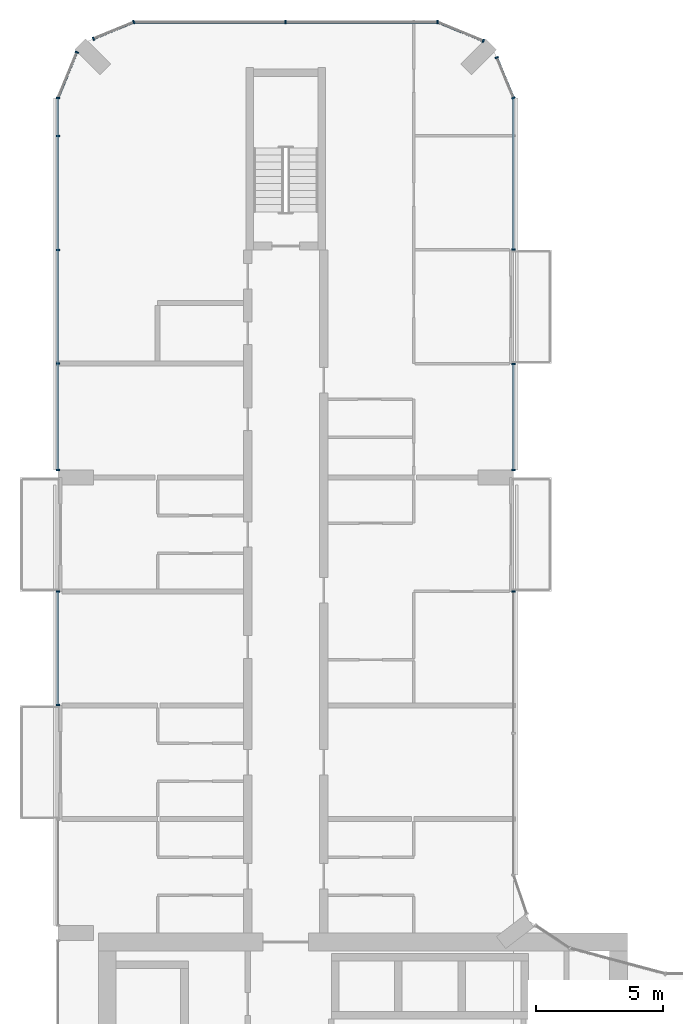
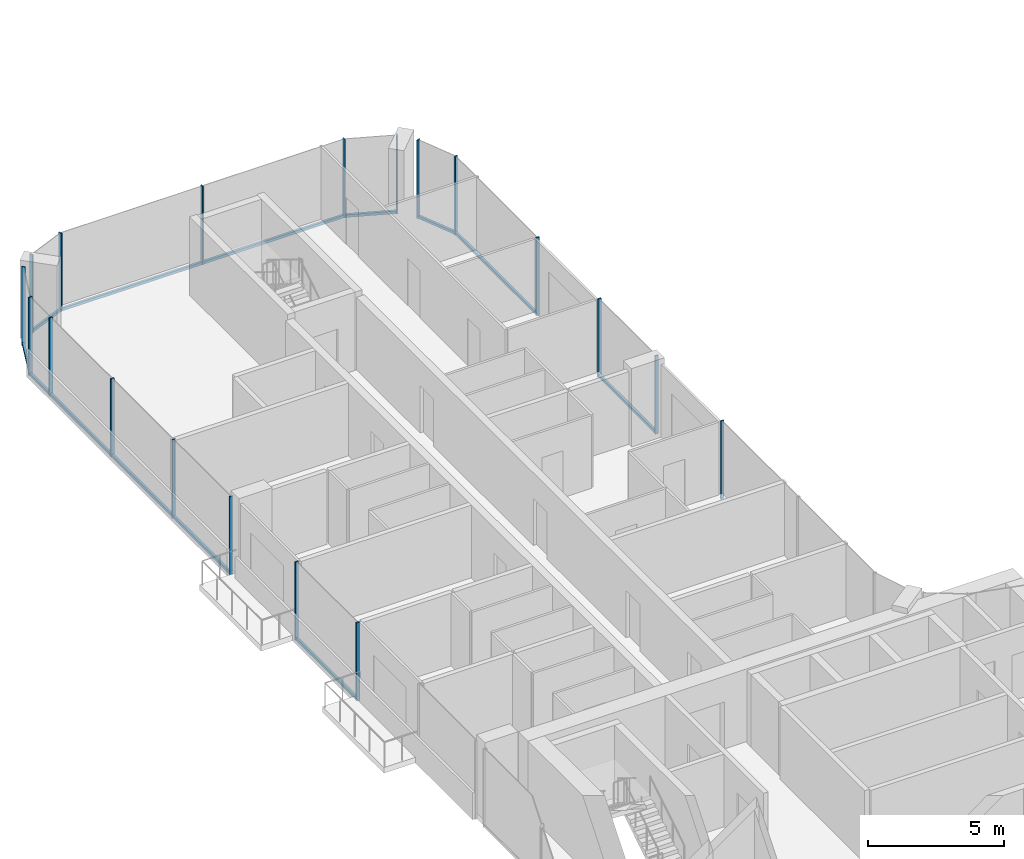
# One storey, part 6 of 23: 28 members, 10 elements without a shape of their own.
"""IFC4 building model written with IfcOpenShell, lengths in metres."""

import ifcopenshell
import ifcopenshell.guid

model = None  # the IFC model being written
_history = None  # IfcOwnerHistory: only IFC2X3 demands one
_inside = {}  # id of a spatial element -> (the spatial element, [elements in it])
_under = {}  # id of a project, library or spatial element -> (it, [spatial elements below it])
_declared = {}  # id of a project -> (the project, [libraries it declares])
_typed = {}  # id of a type object -> (the type object, [elements of that type])
_made_of = {}  # id of a material, layer set ... -> (it, [elements and type objects made of it])


def new_model(schema):
    """Start an empty IFC model of exactly this schema.

    Asked for "IFC4X3", IfcOpenShell would pick the latest addendum, in which some entities
    have other attributes; the version numbers below select the first issue.
    IFC2X3 requires an IfcOwnerHistory on every rooted entity: one is made here for all.
    """
    global model, _history
    if schema == "IFC4X3":
        model = ifcopenshell.file(schema_version=(4, 3, 0, 0))
    else:
        model = ifcopenshell.file(schema=schema)
    _inside.clear()
    _under.clear()
    _declared.clear()
    _typed.clear()
    _made_of.clear()
    _history = None
    if model.schema == "IFC2X3":
        org = make("IfcOrganization", Name="unknown")
        user = make(
            "IfcPersonAndOrganization",
            ThePerson=make("IfcPerson", FamilyName="unknown"),
            TheOrganization=org,
        )
        app = make(
            "IfcApplication",
            ApplicationDeveloper=org,
            Version="unknown",
            ApplicationFullName="unknown",
            ApplicationIdentifier="unknown",
        )
        _history = make(
            "IfcOwnerHistory",
            OwningUser=user,
            OwningApplication=app,
            ChangeAction="ADDED",
            CreationDate=0,
        )
    return model


def make(cls, **values):
    """One entity of the class cls with the attributes given. An attribute that is None is left unset."""
    return model.create_entity(
        cls, **{name: value for name, value in values.items() if value is not None}
    )


def rooted(cls, **values):
    """An entity with a GlobalId (a new one), such as an element, a storey or a relation."""
    return make(cls, GlobalId=ifcopenshell.guid.new(), OwnerHistory=_history, **values)


def si_unit(unit_type, name, prefix=None):
    """IfcSIUnit, for example si_unit("LENGTHUNIT", "METRE", prefix="MILLI")."""
    return make("IfcSIUnit", UnitType=unit_type, Prefix=prefix, Name=name)


def assignment(units):
    """IfcUnitAssignment: the units of a project."""
    return None if units is None else make("IfcUnitAssignment", Units=units)


def point(xyz):
    """IfcCartesianPoint."""
    return None if xyz is None else make("IfcCartesianPoint", Coordinates=xyz)


def direction(xyz):
    """IfcDirection."""
    return None if xyz is None else make("IfcDirection", DirectionRatios=xyz)


def frame(location, z_axis=None, x_axis=None):
    """IfcAxis2Placement3D, a coordinate frame: its origin and axes. An axis left out is left unset."""
    return make(
        "IfcAxis2Placement3D",
        Location=point(location),
        Axis=direction(z_axis),
        RefDirection=direction(x_axis),
    )


def frame_2d(location, x_axis=None):
    """IfcAxis2Placement2D, a coordinate frame in the plane: its origin and x axis."""
    return make(
        "IfcAxis2Placement2D", Location=point(location), RefDirection=direction(x_axis)
    )


def origin():
    """The frame at (0, 0, 0) with its axes left unset."""
    return frame((0.0, 0.0, 0.0))


def origin_2d():
    """The frame at (0, 0) in the plane with its x axis left unset."""
    return frame_2d((0.0, 0.0))


def place(relative_to, where):
    """IfcLocalPlacement: puts the frame where relative to a parent placement (None: the world)."""
    return make(
        "IfcLocalPlacement", PlacementRelTo=relative_to, RelativePlacement=where
    )


def context(
    kind, dimensions, precision=None, world=None, true_north=None, identifier=None
):
    """IfcGeometricRepresentationContext, for example the 3D "Model" context."""
    return make(
        "IfcGeometricRepresentationContext",
        ContextIdentifier=identifier,
        ContextType=kind,
        CoordinateSpaceDimension=dimensions,
        Precision=precision,
        WorldCoordinateSystem=world,
        TrueNorth=true_north,
    )


def subcontext(parent, identifier, kind, view, scale=None):
    """IfcGeometricRepresentationSubContext, for example "Body" below "Model"."""
    return make(
        "IfcGeometricRepresentationSubContext",
        ContextIdentifier=identifier,
        ContextType=kind,
        ParentContext=parent,
        TargetScale=scale,
        TargetView=view,
    )


def project(units=None, contexts=None):
    """IfcProject with its units and contexts."""
    return rooted(
        "IfcProject",
        Name="project",
        RepresentationContexts=contexts,
        UnitsInContext=assignment(units),
    )


def spatial(cls, under=None, at=None, **own):
    """A site, building, storey or space (cls), placed at a placement, below another one or the project."""
    s = rooted(cls, ObjectPlacement=at, **own)
    if under is not None:
        _under.setdefault(under.id(), (under, []))[1].append(s)
    return s


def profile(cls, at=None, kind="AREA", **sizes):
    """A parametric profile (cls). Its sizes go by their IFC names, for example OverallWidth=200.0."""
    return make(cls, ProfileType=kind, Position=at, **sizes)


def rectangle(**sizes):
    """IfcRectangleProfileDef."""
    return profile("IfcRectangleProfileDef", **sizes)


def extrude(swept, where, along, depth):
    """IfcExtrudedAreaSolid: the profile swept, set in the frame where, extruded along a direction by depth."""
    return make(
        "IfcExtrudedAreaSolid",
        SweptArea=swept,
        Position=where,
        ExtrudedDirection=direction(along),
        Depth=depth,
    )


def shape(context_of_items, identifier, shape_type, items):
    """IfcShapeRepresentation: the items that make up one representation, for example the "Body"."""
    return make(
        "IfcShapeRepresentation",
        ContextOfItems=context_of_items,
        RepresentationIdentifier=identifier,
        RepresentationType=shape_type,
        Items=items,
    )


def material(Name=None, Category=None):
    """IfcMaterial."""
    return make("IfcMaterial", Name=Name, Category=Category)


def layer(
    of_material, thickness, ventilated=None, Name=None, Category=None, Priority=None
):
    """IfcMaterialLayer: one layer of a wall or slab, of a material (None: an air gap)."""
    return make(
        "IfcMaterialLayer",
        Material=of_material,
        LayerThickness=thickness,
        IsVentilated=ventilated,
        Name=Name,
        Category=Category,
        Priority=Priority,
    )


def layer_set(layers, Name=None):
    """IfcMaterialLayerSet."""
    return make("IfcMaterialLayerSet", MaterialLayers=layers, LayerSetName=Name)


def material_profile(
    of_material, cross_section, Name=None, Category=None, Priority=None
):
    """IfcMaterialProfile: a cross section and its material."""
    return make(
        "IfcMaterialProfile",
        Name=Name,
        Material=of_material,
        Profile=cross_section,
        Priority=Priority,
        Category=Category,
    )


def profile_set(profiles, Name=None, composite=None):
    """IfcMaterialProfileSet."""
    return make(
        "IfcMaterialProfileSet",
        Name=Name,
        MaterialProfiles=profiles,
        CompositeProfile=composite,
    )


def made_of(thing, what):
    """Note that an element or type object is made of a material, layer set ...; save() writes the relation."""
    if what is not None:
        _made_of.setdefault(what.id(), (what, []))[1].append(thing)
    return thing


def type_object(cls, material=None, **own):
    """A type object (cls), such as IfcWallType, which elements share."""
    return made_of(rooted(cls, **own), material)


def element(
    cls,
    number,
    at=None,
    inside=None,
    cuts=None,
    type_object=None,
    material=None,
    context=None,
    identifier="Body",
    shape_type=None,
    held_by="IfcProductDefinitionShape",
    body=None,
    shapes=None,
    **own,
):
    """One element of the class cls, such as IfcWall. Its Tag is "e" and its number.

    at: its placement. inside: the storey or other place that contains it. cuts: it is an
    opening in that element (IfcRelVoidsElement). A single representation is given by context,
    identifier, shape_type and body (its items); several are given by shapes. held_by: the class
    of the entity that holds the representations. save() writes the other relations.
    """
    e = rooted(cls, Tag="e%d" % number, ObjectPlacement=at, **own)
    if body is not None:
        shapes = [shape(context, identifier, shape_type, body)]
    if shapes is not None:
        e.Representation = make(held_by, Representations=shapes)
    if inside is not None:
        _inside.setdefault(inside.id(), (inside, []))[1].append(e)
    if cuts is not None:
        rooted(
            "IfcRelVoidsElement", RelatingBuildingElement=cuts, RelatedOpeningElement=e
        )
    if type_object is not None:
        _typed.setdefault(type_object.id(), (type_object, []))[1].append(e)
    return made_of(e, material)


def aggregate(whole, parts):
    """IfcRelAggregates: a whole, such as a stair, and the parts it consists of."""
    return rooted("IfcRelAggregates", RelatingObject=whole, RelatedObjects=parts)


def save(model, path):
    """Write the relations noted so far, then the file.

    IfcRelAggregates (storeys below a building ...), IfcRelContainedInSpatialStructure (elements
    in a storey), IfcRelDefinesByType, IfcRelAssociatesMaterial and IfcRelDeclares: one each for
    every whole, place, type object, material and project.
    """
    for whole, parts in _under.values():
        aggregate(whole, parts)
    for where, things in _inside.values():
        rooted(
            "IfcRelContainedInSpatialStructure",
            RelatedElements=things,
            RelatingStructure=where,
        )
    for kind, things in _typed.values():
        rooted("IfcRelDefinesByType", RelatedObjects=things, RelatingType=kind)
    for what, things in _made_of.values():
        rooted("IfcRelAssociatesMaterial", RelatedObjects=things, RelatingMaterial=what)
    for by, libraries in _declared.values():
        rooted("IfcRelDeclares", RelatingContext=by, RelatedDefinitions=libraries)
    model.write(path)


model = new_model("IFC4")

# Units and contexts
model_context = context("Model", 3, precision=1e-05, world=origin(), true_north=direction((0.0, 1.0)))
body_context = subcontext(model_context, "Body", "Model", "MODEL_VIEW")
ifc_project = project(units=[si_unit("LENGTHUNIT", "METRE"), si_unit("AREAUNIT", "SQUARE_METRE"), si_unit("VOLUMEUNIT", "CUBIC_METRE"), si_unit("PLANEANGLEUNIT", "RADIAN"), si_unit("MASSUNIT", "GRAM", prefix="KILO")], contexts=[model_context])

# Site, building, storey
site_placement = place(None, origin())
site = spatial("IfcSite", under=ifc_project, at=site_placement, CompositionType="ELEMENT")
building_placement = place(site_placement, origin())
building = spatial("IfcBuilding", under=site, at=building_placement, Name="Plateau Cross Towers", CompositionType="ELEMENT")
storey_placement = place(building_placement, frame((0.0, 0.0, 95.800048828125)))
storey = spatial("IfcBuildingStorey", under=building, at=storey_placement, Name="L24", CompositionType="ELEMENT", Elevation=95.800048828125)

# Curtain wall, member
ifc_material_1 = material(Name="Dark low-iron glass", Category="glass")
ifc_layer = layer(ifc_material_1, 0.239990234375)
ifc_layer_set = layer_set([ifc_layer], Name="Dark low-iron glass")
curtain_wall_type = type_object("IfcCurtainWallType", Name="Curtain wall flush unitised CW-B", PredefinedType="NOTDEFINED", material=ifc_layer_set)
curtain_wall_1_placement = place(storey_placement, origin())
curtain_wall_1 = element("IfcCurtainWall", 1, at=curtain_wall_1_placement, inside=storey, type_object=curtain_wall_type, Name="ENV/A/L24/A180_203", PredefinedType="NOTDEFINED")
ifc_material_2 = material(Name="Black anodised aluminium", Category="aluminium")
ifc_material_profile_1 = material_profile(ifc_material_2, rectangle(XDim=0.06005859375, YDim=0.139892578125, at=origin_2d()), Name="MULLION 60x140")
ifc_profile_set_1 = profile_set([ifc_material_profile_1], Name="Black anodised aluminium")
member_type_1 = type_object("IfcMemberType", Name="Mullion 60x140 flush unitised", PredefinedType="MULLION", material=ifc_profile_set_1)
member_1_placement = place(storey_placement, frame((18.0, 31.489990234375, -0.25), z_axis=(0.0, 0.0, 1.0), x_axis=(0.0, 1.0, 0.0)))
member_1 = element("IfcMember", 2, at=member_1_placement, type_object=member_type_1, Name="CW-B mullion 3", PredefinedType="MULLION", context=body_context, shape_type="SweptSolid", body=[
    extrude(rectangle(XDim=0.06005859375, YDim=0.139892578125, at=origin_2d()), origin(), (0.0, 0.0, 1.0), 3.5),
])
aggregate(curtain_wall_1, [member_1])

# Curtain wall, members
curtain_wall_2_placement = place(storey_placement, origin())
curtain_wall_2 = element("IfcCurtainWall", 3, at=curtain_wall_2_placement, inside=storey, type_object=curtain_wall_type, Name="ENV/A/L24/A180_363", PredefinedType="NOTDEFINED")
member_2_placement = place(storey_placement, frame((18.0, 36.300048828125, -0.25), z_axis=(0.0, 0.0, 1.0), x_axis=(0.0, 1.0, 0.0)))
member_2 = element("IfcMember", 4, at=member_2_placement, type_object=member_type_1, Name="CW-B mullion 1", PredefinedType="MULLION", context=body_context, shape_type="SweptSolid", body=[
    extrude(rectangle(XDim=0.06005859375, YDim=0.139892578125, at=origin_2d()), origin(), (0.0, 0.0, 1.0), 3.5),
])
member_3_placement = place(storey_placement, frame((18.0, 40.489990234375, -0.25), z_axis=(0.0, 0.0, 1.0), x_axis=(0.0, 1.0, 0.0)))
member_3 = element("IfcMember", 5, at=member_3_placement, type_object=member_type_1, Name="CW-B mullion 2", PredefinedType="MULLION", context=body_context, shape_type="SweptSolid", body=[
    extrude(rectangle(XDim=0.06005859375, YDim=0.139892578125, at=origin_2d()), origin(), (0.0, 0.0, 1.0), 3.5),
])

# Curtain wall, member
curtain_wall_3_placement = place(storey_placement, origin())
curtain_wall_3 = element("IfcCurtainWall", 6, at=curtain_wall_3_placement, inside=storey, type_object=curtain_wall_type, Name="ENV/A/L24/A180_450", PredefinedType="NOTDEFINED")
member_4_placement = place(storey_placement, frame((18.0, 45.010009765625, -0.25), z_axis=(0.0, 0.0, 1.0), x_axis=(0.0, 1.0, 0.0)))
member_4 = element("IfcMember", 7, at=member_4_placement, type_object=member_type_1, Name="CW-B mullion 1", PredefinedType="MULLION", context=body_context, shape_type="SweptSolid", body=[
    extrude(rectangle(XDim=0.06005859375, YDim=0.139892578125, at=origin_2d()), origin(), (0.0, 0.0, 1.0), 3.5),
])

# Curtain wall, members
curtain_wall_4_placement = place(storey_placement, origin())
curtain_wall_4 = element("IfcCurtainWall", 8, at=curtain_wall_4_placement, inside=storey, type_object=curtain_wall_type, Name="ENV/A/L24/A180_510", PredefinedType="NOTDEFINED")
member_5_placement = place(storey_placement, frame((18.0, 51.0, -0.25), z_axis=(0.0, 0.0, 1.0), x_axis=(-0.382683612978, 0.923879457699, 0.0)))
member_5 = element("IfcMember", 9, at=member_5_placement, type_object=member_type_1, Name="CW-B mullion 1", PredefinedType="MULLION", context=body_context, shape_type="SweptSolid", body=[
    extrude(rectangle(XDim=0.06005859375, YDim=0.139892578125, at=origin_2d()), origin(), (0.0, 0.0, 1.0), 3.5),
])
member_6_placement = place(storey_placement, frame((17.338623046875, 52.5966796875, -0.25), z_axis=(0.0, 0.0, 1.0), x_axis=(-0.382683612978, 0.923879457699, 0.0)))
member_6 = element("IfcMember", 10, at=member_6_placement, type_object=member_type_1, Name="CW-B mullion 2", PredefinedType="MULLION", context=body_context, shape_type="SweptSolid", body=[
    extrude(rectangle(XDim=0.06005859375, YDim=0.139892578125, at=origin_2d()), origin(), (0.0, 0.0, 1.0), 3.5),
])

# Curtain wall, member
curtain_wall_5_placement = place(storey_placement, origin())
curtain_wall_5 = element("IfcCurtainWall", 11, at=curtain_wall_5_placement, inside=storey, type_object=curtain_wall_type, Name="ENV/A/L24/A168_533", PredefinedType="NOTDEFINED")
member_7_placement = place(storey_placement, frame((16.805908203125, 53.251953125, -0.25), z_axis=(0.0, 0.0, 1.0), x_axis=(-0.923879457699, 0.382683612978, 0.0)))
member_7 = element("IfcMember", 12, at=member_7_placement, type_object=member_type_1, Name="CW-B mullion 1", PredefinedType="MULLION", context=body_context, shape_type="SweptSolid", body=[
    extrude(rectangle(XDim=0.06005859375, YDim=0.139892578125, at=origin_2d()), origin(), (0.0, 0.0, 1.0), 3.5),
])

# Curtain wall, members
curtain_wall_6_placement = place(storey_placement, origin())
curtain_wall_6 = element("IfcCurtainWall", 13, at=curtain_wall_6_placement, inside=storey, type_object=curtain_wall_type, Name="ENV/A/L24/A150_540", PredefinedType="NOTDEFINED")
member_8_placement = place(storey_placement, frame((15.0, 54.0, -0.25), z_axis=(0.0, 0.0, 1.0), x_axis=(-1.0, 0.0, 0.0)))
member_8 = element("IfcMember", 14, at=member_8_placement, type_object=member_type_1, Name="CW-B mullion 1", PredefinedType="MULLION", context=body_context, shape_type="SweptSolid", body=[
    extrude(rectangle(XDim=0.06005859375, YDim=0.139892578125, at=origin_2d()), origin(), (0.0, 0.0, 1.0), 3.5),
])
member_9_placement = place(storey_placement, frame((9.0, 54.0, -0.25), z_axis=(0.0, 0.0, 1.0), x_axis=(-1.0, 0.0, 0.0)))
member_9 = element("IfcMember", 15, at=member_9_placement, type_object=member_type_1, Name="CW-B mullion 2", PredefinedType="MULLION", context=body_context, shape_type="SweptSolid", body=[
    extrude(rectangle(XDim=0.06005859375, YDim=0.139892578125, at=origin_2d()), origin(), (0.0, 0.0, 1.0), 3.5),
])

curtain_wall_7_placement = place(storey_placement, origin())
curtain_wall_7 = element("IfcCurtainWall", 16, at=curtain_wall_7_placement, inside=storey, type_object=curtain_wall_type, Name="ENV/A/L24/A30_540", PredefinedType="NOTDEFINED")
member_10_placement = place(storey_placement, frame((3.0, 54.0, -0.25), z_axis=(0.0, 0.0, 1.0), x_axis=(-0.923879457699, -0.382683612978, 0.0)))
member_10 = element("IfcMember", 17, at=member_10_placement, type_object=member_type_1, Name="CW-B mullion 1", PredefinedType="MULLION", context=body_context, shape_type="SweptSolid", body=[
    extrude(rectangle(XDim=0.06005859375, YDim=0.139892578125, at=origin_2d()), origin(), (0.0, 0.0, 1.0), 3.5),
])
member_11_placement = place(storey_placement, frame((1.4033203125, 53.338623046875, -0.25), z_axis=(0.0, 0.0, 1.0), x_axis=(-0.923879457699, -0.382683612978, 0.0)))
member_11 = element("IfcMember", 18, at=member_11_placement, type_object=member_type_1, Name="CW-B mullion 2", PredefinedType="MULLION", context=body_context, shape_type="SweptSolid", body=[
    extrude(rectangle(XDim=0.06005859375, YDim=0.139892578125, at=origin_2d()), origin(), (0.0, 0.0, 1.0), 3.5),
])

# Curtain wall, member
curtain_wall_8_placement = place(storey_placement, origin())
curtain_wall_8 = element("IfcCurtainWall", 19, at=curtain_wall_8_placement, inside=storey, type_object=curtain_wall_type, Name="ENV/A/L24/A7_528", PredefinedType="NOTDEFINED")
member_12_placement = place(storey_placement, frame((0.748046875, 52.805908203125, -0.25), z_axis=(0.0, 0.0, 1.0), x_axis=(-0.382683612978, -0.923879457699, 0.0)))
member_12 = element("IfcMember", 20, at=member_12_placement, type_object=member_type_1, Name="CW-B mullion 1", PredefinedType="MULLION", context=body_context, shape_type="SweptSolid", body=[
    extrude(rectangle(XDim=0.06005859375, YDim=0.139892578125, at=origin_2d()), origin(), (0.0, 0.0, 1.0), 3.5),
])

# Curtain wall, members
curtain_wall_9_placement = place(storey_placement, origin())
curtain_wall_9 = element("IfcCurtainWall", 21, at=curtain_wall_9_placement, inside=storey, type_object=curtain_wall_type, Name="ENV/A/L24/A0_510", PredefinedType="NOTDEFINED")
member_13_placement = place(storey_placement, frame((0.0, 51.0, -0.25), z_axis=(0.0, 0.0, 1.0), x_axis=(0.0, -1.0, 0.0)))
member_13 = element("IfcMember", 22, at=member_13_placement, type_object=member_type_1, Name="CW-B mullion 1", PredefinedType="MULLION", context=body_context, shape_type="SweptSolid", body=[
    extrude(rectangle(XDim=0.06005859375, YDim=0.139892578125, at=origin_2d()), origin(), (0.0, 0.0, 1.0), 3.5),
])
member_14_placement = place(storey_placement, frame((0.0, 49.5, -0.25), z_axis=(0.0, 0.0, 1.0), x_axis=(0.0, -1.0, 0.0)))
member_14 = element("IfcMember", 23, at=member_14_placement, type_object=member_type_1, Name="CW-B mullion 2", PredefinedType="MULLION", context=body_context, shape_type="SweptSolid", body=[
    extrude(rectangle(XDim=0.06005859375, YDim=0.139892578125, at=origin_2d()), origin(), (0.0, 0.0, 1.0), 3.5),
])
member_15_placement = place(storey_placement, frame((0.0, 45.0, -0.25), z_axis=(0.0, 0.0, 1.0), x_axis=(0.0, -1.0, 0.0)))
member_15 = element("IfcMember", 24, at=member_15_placement, type_object=member_type_1, Name="CW-B mullion 3", PredefinedType="MULLION", context=body_context, shape_type="SweptSolid", body=[
    extrude(rectangle(XDim=0.06005859375, YDim=0.139892578125, at=origin_2d()), origin(), (0.0, 0.0, 1.0), 3.5),
])
member_16_placement = place(storey_placement, frame((0.0, 40.5, -0.25), z_axis=(0.0, 0.0, 1.0), x_axis=(0.0, -1.0, 0.0)))
member_16 = element("IfcMember", 25, at=member_16_placement, type_object=member_type_1, Name="CW-B mullion 4", PredefinedType="MULLION", context=body_context, shape_type="SweptSolid", body=[
    extrude(rectangle(XDim=0.06005859375, YDim=0.139892578125, at=origin_2d()), origin(), (0.0, 0.0, 1.0), 3.5),
])
member_17_placement = place(storey_placement, frame((0.0, 36.300048828125, -0.25), z_axis=(0.0, 0.0, 1.0), x_axis=(0.0, -1.0, 0.0)))
member_17 = element("IfcMember", 26, at=member_17_placement, type_object=member_type_1, Name="CW-B mullion 5", PredefinedType="MULLION", context=body_context, shape_type="SweptSolid", body=[
    extrude(rectangle(XDim=0.06005859375, YDim=0.139892578125, at=origin_2d()), origin(), (0.0, 0.0, 1.0), 3.5),
])

curtain_wall_10_placement = place(storey_placement, origin())
curtain_wall_10 = element("IfcCurtainWall", 27, at=curtain_wall_10_placement, inside=storey, type_object=curtain_wall_type, Name="ENV/A/L24/A0_315", PredefinedType="NOTDEFINED")
member_18_placement = place(storey_placement, frame((0.0, 31.489990234375, -0.25), z_axis=(0.0, 0.0, 1.0), x_axis=(0.0, -1.0, 0.0)))
member_18 = element("IfcMember", 28, at=member_18_placement, type_object=member_type_1, Name="CW-B mullion 1", PredefinedType="MULLION", context=body_context, shape_type="SweptSolid", body=[
    extrude(rectangle(XDim=0.06005859375, YDim=0.139892578125, at=origin_2d()), origin(), (0.0, 0.0, 1.0), 3.5),
])
member_19_placement = place(storey_placement, frame((0.0, 27.010009765625, -0.25), z_axis=(0.0, 0.0, 1.0), x_axis=(0.0, -1.0, 0.0)))
member_19 = element("IfcMember", 29, at=member_19_placement, type_object=member_type_1, Name="CW-B mullion 2", PredefinedType="MULLION", context=body_context, shape_type="SweptSolid", body=[
    extrude(rectangle(XDim=0.06005859375, YDim=0.139892578125, at=origin_2d()), origin(), (0.0, 0.0, 1.0), 3.5),
])

# Member
ifc_material_profile_2 = material_profile(ifc_material_2, rectangle(XDim=0.10009765625, YDim=0.1201171875, at=origin_2d()), Name="TRANSOM 100x120")
ifc_profile_set_2 = profile_set([ifc_material_profile_2], Name="Black anodised aluminium")
member_type_2 = type_object("IfcMemberType", Name="Transom 100x120 flush unitised", PredefinedType="USERDEFINED", material=ifc_profile_set_2)
member_20_placement = place(storey_placement, frame((18.0, 36.300048828125, -0.18994140625), z_axis=(0.0, 1.0, 0.0), x_axis=(-1.0, 0.0, 0.0)))
member_20 = element("IfcMember", 30, at=member_20_placement, type_object=member_type_2, Name="CW-B transom", ObjectType="TRANSOM", PredefinedType="USERDEFINED", context=body_context, shape_type="SweptSolid", body=[
    extrude(rectangle(XDim=0.10009765625, YDim=0.1201171875, at=origin_2d()), origin(), (0.0, 0.0, 1.0), 4.18994140625),
])

aggregate(curtain_wall_2, [member_2, member_3, member_20])

member_21_placement = place(storey_placement, frame((18.0, 45.010009765625, -0.18994140625), z_axis=(0.0, 1.0, 0.0), x_axis=(-1.0, 0.0, 0.0)))
member_21 = element("IfcMember", 31, at=member_21_placement, type_object=member_type_2, Name="CW-B transom", ObjectType="TRANSOM", PredefinedType="USERDEFINED", context=body_context, shape_type="SweptSolid", body=[
    extrude(rectangle(XDim=0.10009765625, YDim=0.1201171875, at=origin_2d()), origin(), (0.0, 0.0, 1.0), 5.989990234375),
])

aggregate(curtain_wall_3, [member_4, member_21])

member_22_placement = place(storey_placement, frame((18.0, 51.0, -0.18994140625), z_axis=(-0.382688653628, 0.923877369776, 0.0), x_axis=(-0.923877369776, -0.382688653628, 0.0)))
member_22 = element("IfcMember", 32, at=member_22_placement, type_object=member_type_2, Name="CW-B transom", ObjectType="TRANSOM", PredefinedType="USERDEFINED", context=body_context, shape_type="SweptSolid", body=[
    extrude(rectangle(XDim=0.10009765625, YDim=0.1201171875, at=origin_2d()), origin(), (0.0, 0.0, 1.0), 1.728271484375),
])

aggregate(curtain_wall_4, [member_5, member_6, member_22])

member_23_placement = place(storey_placement, frame((16.805908203125, 53.251953125, -0.18994140625), z_axis=(-0.92387678234, 0.382690071798, 0.0), x_axis=(-0.382690071798, -0.92387678234, 0.0)))
member_23 = element("IfcMember", 33, at=member_23_placement, type_object=member_type_2, Name="CW-B transom", ObjectType="TRANSOM", PredefinedType="USERDEFINED", context=body_context, shape_type="SweptSolid", body=[
    extrude(rectangle(XDim=0.10009765625, YDim=0.1201171875, at=origin_2d()), origin(), (0.0, 0.0, 1.0), 1.95458984375),
])

aggregate(curtain_wall_5, [member_7, member_23])

member_24_placement = place(storey_placement, frame((15.0, 54.0, -0.18994140625), z_axis=(-1.0, 0.0, 0.0), x_axis=(0.0, -1.0, 0.0)))
member_24 = element("IfcMember", 34, at=member_24_placement, type_object=member_type_2, Name="CW-B transom", ObjectType="TRANSOM", PredefinedType="USERDEFINED", context=body_context, shape_type="SweptSolid", body=[
    extrude(rectangle(XDim=0.10009765625, YDim=0.1201171875, at=origin_2d()), origin(), (0.0, 0.0, 1.0), 12.0),
])

aggregate(curtain_wall_6, [member_8, member_9, member_24])

member_25_placement = place(storey_placement, frame((3.0, 54.0, -0.18994140625), z_axis=(-0.923877369776, -0.382688653628, 0.0), x_axis=(0.382688653628, -0.923877369776, 0.0)))
member_25 = element("IfcMember", 35, at=member_25_placement, type_object=member_type_2, Name="CW-B transom", ObjectType="TRANSOM", PredefinedType="USERDEFINED", context=body_context, shape_type="SweptSolid", body=[
    extrude(rectangle(XDim=0.10009765625, YDim=0.1201171875, at=origin_2d()), origin(), (0.0, 0.0, 1.0), 1.728271484375),
])

aggregate(curtain_wall_7, [member_10, member_11, member_25])

member_26_placement = place(storey_placement, frame((0.748046875, 52.805908203125, -0.18994140625), z_axis=(-0.382690071798, -0.92387678234, 0.0), x_axis=(0.92387678234, -0.382690071798, 0.0)))
member_26 = element("IfcMember", 36, at=member_26_placement, type_object=member_type_2, Name="CW-B transom", ObjectType="TRANSOM", PredefinedType="USERDEFINED", context=body_context, shape_type="SweptSolid", body=[
    extrude(rectangle(XDim=0.10009765625, YDim=0.1201171875, at=origin_2d()), origin(), (0.0, 0.0, 1.0), 1.95458984375),
])

aggregate(curtain_wall_8, [member_12, member_26])

member_27_placement = place(storey_placement, frame((0.0, 51.0, -0.18994140625), z_axis=(0.0, -1.0, 0.0), x_axis=(1.0, 0.0, 0.0)))
member_27 = element("IfcMember", 37, at=member_27_placement, type_object=member_type_2, Name="CW-B transom", ObjectType="TRANSOM", PredefinedType="USERDEFINED", context=body_context, shape_type="SweptSolid", body=[
    extrude(rectangle(XDim=0.10009765625, YDim=0.1201171875, at=origin_2d()), origin(), (0.0, 0.0, 1.0), 14.699951171875),
])

aggregate(curtain_wall_9, [member_13, member_14, member_15, member_16, member_17, member_27])

member_28_placement = place(storey_placement, frame((0.0, 31.489990234375, -0.18994140625), z_axis=(0.0, -1.0, 0.0), x_axis=(1.0, 0.0, 0.0)))
member_28 = element("IfcMember", 38, at=member_28_placement, type_object=member_type_2, Name="CW-B transom", ObjectType="TRANSOM", PredefinedType="USERDEFINED", context=body_context, shape_type="SweptSolid", body=[
    extrude(rectangle(XDim=0.10009765625, YDim=0.1201171875, at=origin_2d()), origin(), (0.0, 0.0, 1.0), 4.47998046875),
])

aggregate(curtain_wall_10, [member_18, member_19, member_28])

save(model, "model.ifc")
